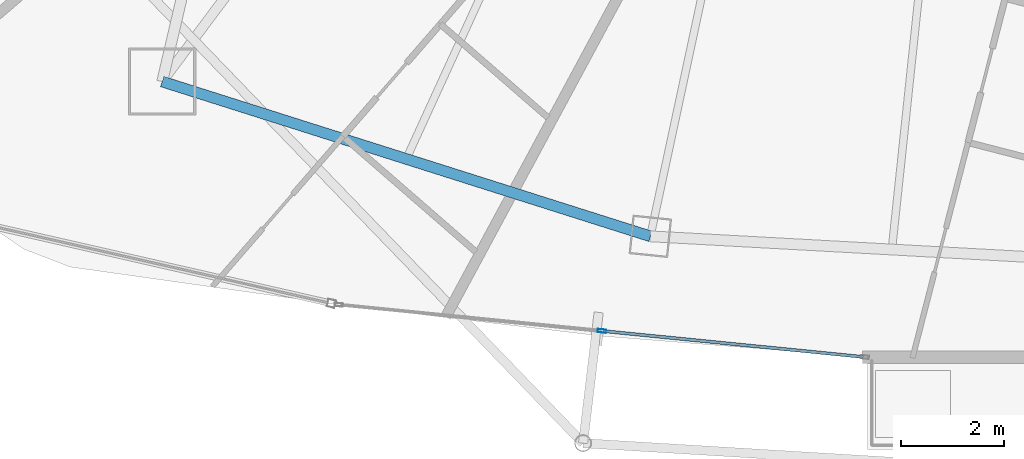
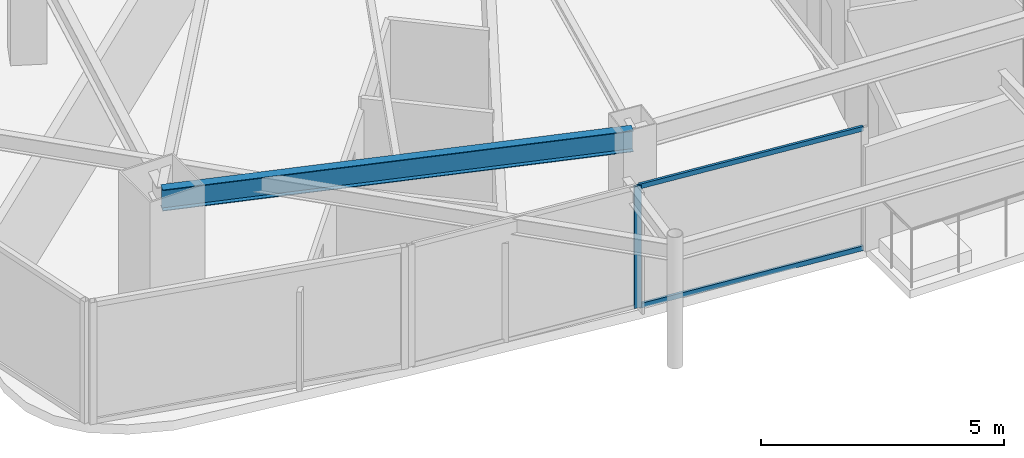
# One storey, part 4 of 30: 3 members, 1 beam, 1 element without a shape of its own.
"""IFC4 building model written with IfcOpenShell, lengths in metres."""

from ifc_helpers import new_model, si_unit, direction, frame, origin, origin_2d, place, context, subcontext, project, spatial, hollow_rectangle, i_section, extrude, material, layer, layer_set, material_profile, profile_set, type_object, element, aggregate, save


model = new_model("IFC4")

# Units and contexts
model_context = context("Model", 3, precision=1e-05, world=origin(), true_north=direction((0.0, 1.0)))
body_context = subcontext(model_context, "Body", "Model", "MODEL_VIEW")
ifc_project = project(units=[si_unit("LENGTHUNIT", "METRE"), si_unit("AREAUNIT", "SQUARE_METRE"), si_unit("VOLUMEUNIT", "CUBIC_METRE"), si_unit("PLANEANGLEUNIT", "RADIAN"), si_unit("MASSUNIT", "GRAM", prefix="KILO")], contexts=[model_context])

# Site, building, storey
site_placement = place(None, origin())
site = spatial("IfcSite", under=ifc_project, at=site_placement, CompositionType="ELEMENT")
building_placement = place(site_placement, origin())
building = spatial("IfcBuilding", under=site, at=building_placement, Name="Orvanel Arch Residences", CompositionType="ELEMENT")
storey_placement = place(building_placement, frame((0.0, 0.0, 226.10009765625)))
storey = spatial("IfcBuildingStorey", under=building, at=storey_placement, Name="L64", CompositionType="ELEMENT", Elevation=226.10009765625)

# Curtain wall, member
ifc_material_1 = material(Name="Bronze-anodised aluminium AA6063-T6", Category="aluminium")
ifc_layer = layer(ifc_material_1, 0.175048828125)
ifc_layer_set = layer_set([ifc_layer], Name="Bronze-anodised aluminium AA6063-T6")
curtain_wall_type = type_object("IfcCurtainWallType", Name="CW4-HI-SYS", PredefinedType="NOTDEFINED", material=ifc_layer_set)
curtain_wall_placement = place(storey_placement, origin())
curtain_wall = element("IfcCurtainWall", 1, at=curtain_wall_placement, inside=storey, type_object=curtain_wall_type, Name="L64 CW4-HI-SYS Unitised Curtain Wall", PredefinedType="NOTDEFINED")
ifc_material_profile_1 = material_profile(ifc_material_1, hollow_rectangle(XDim=0.06494140625, YDim=0.159912109375, WallThickness=0.00390625, at=origin_2d()), Name="ALU160x65x4")
ifc_profile_set_1 = profile_set([ifc_material_profile_1], Name="Bronze-anodised aluminium AA6063-T6")
member_type_1 = type_object("IfcMemberType", Name="MUL-160x65", PredefinedType="MULLION", material=ifc_profile_set_1)
member_1_placement = place(storey_placement, frame((22.71142578125, 5.52294921875, 0.0), z_axis=(0.0, 0.0, 1.0), x_axis=(0.099032673027, 0.995084182204, 0.0)))
member_1 = element("IfcMember", 2, at=member_1_placement, type_object=member_type_1, Name="CW-S4 mullion 2", PredefinedType="MULLION", context=body_context, shape_type="SweptSolid", body=[
    extrude(hollow_rectangle(XDim=0.06494140625, YDim=0.159912109375, WallThickness=0.00390625, at=origin_2d()), origin(), (0.0, 0.0, 1.0), 3.059814453125),
])

# Beam
ifc_material_2 = material(Name="Structural steel AS/NZS 3679.1 Grade 300 (300 MPa)", Category="steel")
ifc_material_profile_2 = material_profile(ifc_material_2, i_section(OverallWidth=0.208984375, OverallDepth=0.532958984375, WebThickness=0.01025390625, FlangeThickness=0.015625, at=origin_2d()), Name="530UB92.4")
ifc_profile_set_2 = profile_set([ifc_material_profile_2], Name="Structural steel AS/NZS 3679.1 Grade 300 (300 MPa)")
beam_type = type_object("IfcBeamType", Name="SP-530UB", PredefinedType="SPANDREL", material=ifc_profile_set_2)
beam_placement = place(storey_placement, frame((14.198974609375, 10.35107421875, 2.79296875), z_axis=(0.953237386592, -0.302222574941, 0.0), x_axis=(0.302222574941, 0.953237386592, 0.0)))
element("IfcBeam", 3, at=beam_placement, inside=storey, type_object=beam_type, Name="L64 Perimeter Spandrel Beam 02", PredefinedType="SPANDREL", context=body_context, shape_type="SweptSolid", body=[
    extrude(i_section(OverallWidth=0.208984375, OverallDepth=0.532958984375, WebThickness=0.01025390625, FlangeThickness=0.015625, at=origin_2d()), origin(), (0.0, 0.0, 1.0), 9.91357421875),
])

# Member
ifc_material_profile_3 = material_profile(ifc_material_1, hollow_rectangle(XDim=0.06005859375, YDim=0.1201171875, WallThickness=0.00341796875, at=origin_2d()), Name="ALU120x60x3.5")
ifc_profile_set_3 = profile_set([ifc_material_profile_3], Name="Bronze-anodised aluminium AA6063-T6")
member_type_2 = type_object("IfcMemberType", Name="TRN-120x60", PredefinedType="USERDEFINED", material=ifc_profile_set_3)
member_2_placement = place(storey_placement, frame((22.743896484375, 5.519775390625, 0.02978515625), z_axis=(0.995085872893, -0.099015683448, 0.0), x_axis=(0.099015683448, 0.995085872893, 0.0)))
member_2 = element("IfcMember", 4, at=member_2_placement, type_object=member_type_2, Name="CW-S4 transom 2.1", ObjectType="TRANSOM", PredefinedType="USERDEFINED", context=body_context, shape_type="SweptSolid", body=[
    extrude(hollow_rectangle(XDim=0.06005859375, YDim=0.1201171875, WallThickness=0.00341796875, at=origin_2d()), origin(), (0.0, 0.0, 1.0), 5.05224609375),
])

member_3_placement = place(storey_placement, frame((22.743896484375, 5.519775390625, 3.02978515625), z_axis=(0.995085872893, -0.099015683448, 0.0), x_axis=(0.099015683448, 0.995085872893, 0.0)))
member_3 = element("IfcMember", 5, at=member_3_placement, type_object=member_type_2, Name="CW-S4 transom 2.2", ObjectType="TRANSOM", PredefinedType="USERDEFINED", context=body_context, shape_type="SweptSolid", body=[
    extrude(hollow_rectangle(XDim=0.06005859375, YDim=0.1201171875, WallThickness=0.00341796875, at=origin_2d()), origin(), (0.0, 0.0, 1.0), 5.05224609375),
])

aggregate(curtain_wall, [member_1, member_2, member_3])

save(model, "model.ifc")
